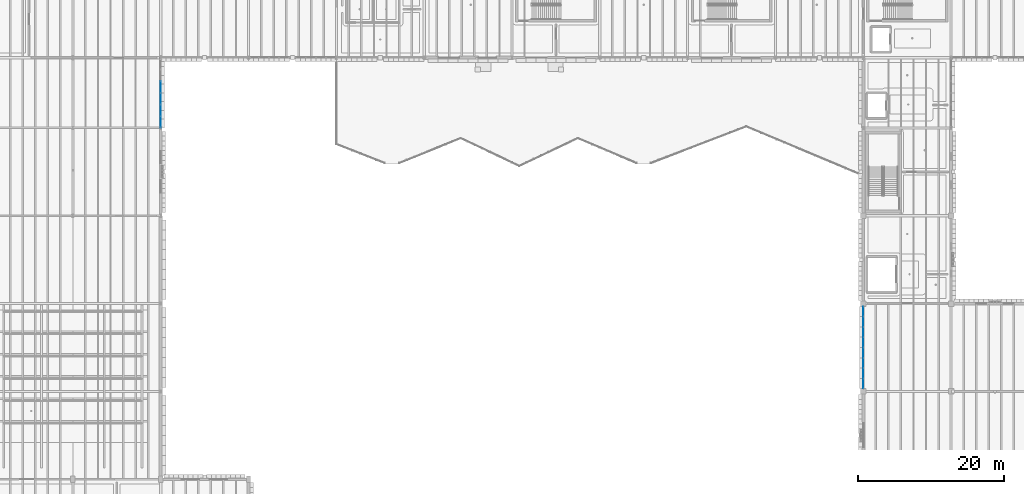
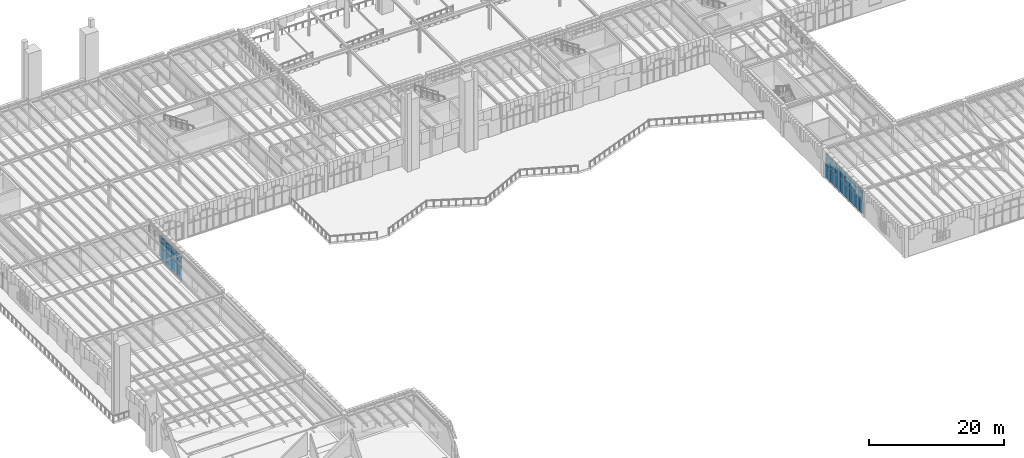
# One storey, part 40 of 103: 36 plates, 2 elements without a shape of their own.
"""IFC4 building model written with IfcOpenShell, lengths in metres."""

from ifc_helpers import new_model, si_unit, direction, frame, origin, origin_2d, place, context, subcontext, project, spatial, rectangle, extrude, material, layer, layer_set, type_object, element, aggregate, save


model = new_model("IFC4")

# Units and contexts
model_context = context("Model", 3, precision=1e-05, world=origin(), true_north=direction((0.0, 1.0)))
body_context = subcontext(model_context, "Body", "Model", "MODEL_VIEW")
ifc_project = project(units=[si_unit("LENGTHUNIT", "METRE"), si_unit("AREAUNIT", "SQUARE_METRE"), si_unit("VOLUMEUNIT", "CUBIC_METRE"), si_unit("PLANEANGLEUNIT", "RADIAN"), si_unit("MASSUNIT", "GRAM", prefix="KILO")], contexts=[model_context])

# Site, building, storey
site_placement = place(None, origin())
site = spatial("IfcSite", under=ifc_project, at=site_placement, CompositionType="ELEMENT")
building_placement = place(site_placement, origin())
building = spatial("IfcBuilding", under=site, at=building_placement, Name="Zlatogorsky Bluff Art Gallery", CompositionType="ELEMENT")
storey_placement = place(building_placement, origin())
storey = spatial("IfcBuildingStorey", under=building, at=storey_placement, Name="L00", CompositionType="ELEMENT", Elevation=0.0)

# Curtain wall, plates
ifc_material_1 = material(Name="Anodised Bronze Aluminium and Low-Iron Triple Glazing", Category="aluminium")
ifc_layer_1 = layer(ifc_material_1, 0.199951171875)
ifc_layer_set_1 = layer_set([ifc_layer_1], Name="Curtain Wall CW-02")
curtain_wall_type_1 = type_object("IfcCurtainWallType", Name="Curtain Wall CW-02", PredefinedType="USERDEFINED", material=ifc_layer_set_1)
curtain_wall_1_placement = place(storey_placement, origin())
curtain_wall_1 = element("IfcCurtainWall", 1, at=curtain_wall_1_placement, inside=storey, type_object=curtain_wall_type_1, Name="Unitised curtain wall CW-02 L00 E 1.7", ObjectType="CURTAIN WALL", PredefinedType="USERDEFINED")
ifc_material_2 = material(Name="Low-Iron Laminated Triple Glazing", Category="glass")
ifc_layer_2 = layer(ifc_material_2, 0.035888671875)
ifc_layer_set_2 = layer_set([ifc_layer_2], Name="Glazed Curtain Panel CWP-01")
plate_type = type_object("IfcPlateType", Name="Glazed Curtain Panel CWP-01", PredefinedType="CURTAIN_PANEL", material=ifc_layer_set_2)
plate_1_placement = place(storey_placement, frame((24.0, 75.21630859375, 0.06494140625), z_axis=(0.0, 0.0, 1.0), x_axis=(0.0, 1.0, 0.0)))
plate_1 = element("IfcPlate", 2, at=plate_1_placement, type_object=plate_type, Name="CW-02 panel 1.1", PredefinedType="CURTAIN_PANEL", context=body_context, shape_type="SweptSolid", body=[
    extrude(rectangle(XDim=1.50244140625, YDim=0.035888671875, at=origin_2d()), origin(), (0.0, 0.0, 1.0), 2.3525390625),
])
plate_2_placement = place(storey_placement, frame((24.0, 75.21630859375, 2.482421875), z_axis=(0.0, 0.0, 1.0), x_axis=(0.0, 1.0, 0.0)))
plate_2 = element("IfcPlate", 3, at=plate_2_placement, type_object=plate_type, Name="CW-02 panel 1.2", PredefinedType="CURTAIN_PANEL", context=body_context, shape_type="SweptSolid", body=[
    extrude(rectangle(XDim=1.50244140625, YDim=0.035888671875, at=origin_2d()), origin(), (0.0, 0.0, 1.0), 1.3349609375),
])
plate_3_placement = place(storey_placement, frame((24.0, 75.21630859375, 3.88232421875), z_axis=(0.0, 0.0, 1.0), x_axis=(0.0, 1.0, 0.0)))
plate_3 = element("IfcPlate", 4, at=plate_3_placement, type_object=plate_type, Name="CW-02 panel 1.3", PredefinedType="CURTAIN_PANEL", context=body_context, shape_type="SweptSolid", body=[
    extrude(rectangle(XDim=1.50244140625, YDim=0.035888671875, at=origin_2d()), origin(), (0.0, 0.0, 1.0), 0.612548828125),
])
plate_4_placement = place(storey_placement, frame((24.0, 76.800048828125, 0.06494140625), z_axis=(0.0, 0.0, 1.0), x_axis=(0.0, 1.0, 0.0)))
plate_4 = element("IfcPlate", 5, at=plate_4_placement, type_object=plate_type, Name="CW-02 panel 2.1", PredefinedType="CURTAIN_PANEL", context=body_context, shape_type="SweptSolid", body=[
    extrude(rectangle(XDim=1.534912109375, YDim=0.035888671875, at=origin_2d()), origin(), (0.0, 0.0, 1.0), 2.3525390625),
])
plate_5_placement = place(storey_placement, frame((24.0, 76.800048828125, 2.482421875), z_axis=(0.0, 0.0, 1.0), x_axis=(0.0, 1.0, 0.0)))
plate_5 = element("IfcPlate", 6, at=plate_5_placement, type_object=plate_type, Name="CW-02 panel 2.2", PredefinedType="CURTAIN_PANEL", context=body_context, shape_type="SweptSolid", body=[
    extrude(rectangle(XDim=1.534912109375, YDim=0.035888671875, at=origin_2d()), origin(), (0.0, 0.0, 1.0), 1.3349609375),
])
plate_6_placement = place(storey_placement, frame((24.0, 76.800048828125, 3.88232421875), z_axis=(0.0, 0.0, 1.0), x_axis=(0.0, 1.0, 0.0)))
plate_6 = element("IfcPlate", 7, at=plate_6_placement, type_object=plate_type, Name="CW-02 panel 2.3", PredefinedType="CURTAIN_PANEL", context=body_context, shape_type="SweptSolid", body=[
    extrude(rectangle(XDim=1.534912109375, YDim=0.035888671875, at=origin_2d()), origin(), (0.0, 0.0, 1.0), 0.612548828125),
])
plate_7_placement = place(storey_placement, frame((24.0, 78.39990234375, 0.06494140625), z_axis=(0.0, 0.0, 1.0), x_axis=(0.0, 1.0, 0.0)))
plate_7 = element("IfcPlate", 8, at=plate_7_placement, type_object=plate_type, Name="CW-02 panel 3.1", PredefinedType="CURTAIN_PANEL", context=body_context, shape_type="SweptSolid", body=[
    extrude(rectangle(XDim=1.534912109375, YDim=0.035888671875, at=origin_2d()), origin(), (0.0, 0.0, 1.0), 2.3525390625),
])
plate_8_placement = place(storey_placement, frame((24.0, 78.39990234375, 2.482421875), z_axis=(0.0, 0.0, 1.0), x_axis=(0.0, 1.0, 0.0)))
plate_8 = element("IfcPlate", 9, at=plate_8_placement, type_object=plate_type, Name="CW-02 panel 3.2", PredefinedType="CURTAIN_PANEL", context=body_context, shape_type="SweptSolid", body=[
    extrude(rectangle(XDim=1.534912109375, YDim=0.035888671875, at=origin_2d()), origin(), (0.0, 0.0, 1.0), 1.3349609375),
])
plate_9_placement = place(storey_placement, frame((24.0, 78.39990234375, 3.88232421875), z_axis=(0.0, 0.0, 1.0), x_axis=(0.0, 1.0, 0.0)))
plate_9 = element("IfcPlate", 10, at=plate_9_placement, type_object=plate_type, Name="CW-02 panel 3.3", PredefinedType="CURTAIN_PANEL", context=body_context, shape_type="SweptSolid", body=[
    extrude(rectangle(XDim=1.534912109375, YDim=0.035888671875, at=origin_2d()), origin(), (0.0, 0.0, 1.0), 0.612548828125),
])
plate_10_placement = place(storey_placement, frame((24.0, 80.0, 0.06494140625), z_axis=(0.0, 0.0, 1.0), x_axis=(0.0, 1.0, 0.0)))
plate_10 = element("IfcPlate", 11, at=plate_10_placement, type_object=plate_type, Name="CW-02 panel 4.1", PredefinedType="CURTAIN_PANEL", context=body_context, shape_type="SweptSolid", body=[
    extrude(rectangle(XDim=1.534912109375, YDim=0.035888671875, at=origin_2d()), origin(), (0.0, 0.0, 1.0), 2.3525390625),
])
plate_11_placement = place(storey_placement, frame((24.0, 80.0, 2.482421875), z_axis=(0.0, 0.0, 1.0), x_axis=(0.0, 1.0, 0.0)))
plate_11 = element("IfcPlate", 12, at=plate_11_placement, type_object=plate_type, Name="CW-02 panel 4.2", PredefinedType="CURTAIN_PANEL", context=body_context, shape_type="SweptSolid", body=[
    extrude(rectangle(XDim=1.534912109375, YDim=0.035888671875, at=origin_2d()), origin(), (0.0, 0.0, 1.0), 1.3349609375),
])
plate_12_placement = place(storey_placement, frame((24.0, 80.0, 3.88232421875), z_axis=(0.0, 0.0, 1.0), x_axis=(0.0, 1.0, 0.0)))
plate_12 = element("IfcPlate", 13, at=plate_12_placement, type_object=plate_type, Name="CW-02 panel 4.3", PredefinedType="CURTAIN_PANEL", context=body_context, shape_type="SweptSolid", body=[
    extrude(rectangle(XDim=1.534912109375, YDim=0.035888671875, at=origin_2d()), origin(), (0.0, 0.0, 1.0), 0.612548828125),
])
aggregate(curtain_wall_1, [plate_1, plate_2, plate_3, plate_4, plate_5, plate_6, plate_7, plate_8, plate_9, plate_10, plate_11, plate_12])

ifc_layer_3 = layer(ifc_material_1, 0.179931640625)
ifc_layer_set_3 = layer_set([ifc_layer_3], Name="Curtain Wall CW-01")
curtain_wall_type_2 = type_object("IfcCurtainWallType", Name="Curtain Wall CW-01", PredefinedType="USERDEFINED", material=ifc_layer_set_3)
curtain_wall_2_placement = place(storey_placement, origin())
curtain_wall_2 = element("IfcCurtainWall", 14, at=curtain_wall_2_placement, inside=storey, type_object=curtain_wall_type_2, Name="Unitised curtain wall CW-01 L00 W 10.4", ObjectType="CURTAIN WALL", PredefinedType="USERDEFINED")
plate_13_placement = place(storey_placement, frame((120.0, 49.31005859375, 0.06494140625), z_axis=(0.0, 0.0, 1.0), x_axis=(0.0, -1.0, 0.0)))
plate_13 = element("IfcPlate", 15, at=plate_13_placement, type_object=plate_type, Name="CW-01 panel 1.1", PredefinedType="CURTAIN_PANEL", context=body_context, shape_type="SweptSolid", body=[
    extrude(rectangle(XDim=1.31005859375, YDim=0.035888671875, at=origin_2d()), origin(), (0.0, 0.0, 1.0), 2.3525390625),
])
plate_14_placement = place(storey_placement, frame((120.0, 49.31005859375, 2.482421875), z_axis=(0.0, 0.0, 1.0), x_axis=(0.0, -1.0, 0.0)))
plate_14 = element("IfcPlate", 16, at=plate_14_placement, type_object=plate_type, Name="CW-01 panel 1.2", PredefinedType="CURTAIN_PANEL", context=body_context, shape_type="SweptSolid", body=[
    extrude(rectangle(XDim=1.31005859375, YDim=0.035888671875, at=origin_2d()), origin(), (0.0, 0.0, 1.0), 1.3349609375),
])
plate_15_placement = place(storey_placement, frame((120.0, 49.31005859375, 3.88232421875), z_axis=(0.0, 0.0, 1.0), x_axis=(0.0, -1.0, 0.0)))
plate_15 = element("IfcPlate", 17, at=plate_15_placement, type_object=plate_type, Name="CW-01 panel 1.3", PredefinedType="CURTAIN_PANEL", context=body_context, shape_type="SweptSolid", body=[
    extrude(rectangle(XDim=1.31005859375, YDim=0.035888671875, at=origin_2d()), origin(), (0.0, 0.0, 1.0), 0.612548828125),
])
plate_16_placement = place(storey_placement, frame((120.0, 47.918701171875, 0.06494140625), z_axis=(0.0, 0.0, 1.0), x_axis=(0.0, -1.0, 0.0)))
plate_16 = element("IfcPlate", 18, at=plate_16_placement, type_object=plate_type, Name="CW-01 panel 2.1", PredefinedType="CURTAIN_PANEL", context=body_context, shape_type="SweptSolid", body=[
    extrude(rectangle(XDim=1.342529296875, YDim=0.035888671875, at=origin_2d()), origin(), (0.0, 0.0, 1.0), 2.3525390625),
])
plate_17_placement = place(storey_placement, frame((120.0, 47.918701171875, 2.482421875), z_axis=(0.0, 0.0, 1.0), x_axis=(0.0, -1.0, 0.0)))
plate_17 = element("IfcPlate", 19, at=plate_17_placement, type_object=plate_type, Name="CW-01 panel 2.2", PredefinedType="CURTAIN_PANEL", context=body_context, shape_type="SweptSolid", body=[
    extrude(rectangle(XDim=1.342529296875, YDim=0.035888671875, at=origin_2d()), origin(), (0.0, 0.0, 1.0), 1.3349609375),
])
plate_18_placement = place(storey_placement, frame((120.0, 47.918701171875, 3.88232421875), z_axis=(0.0, 0.0, 1.0), x_axis=(0.0, -1.0, 0.0)))
plate_18 = element("IfcPlate", 20, at=plate_18_placement, type_object=plate_type, Name="CW-01 panel 2.3", PredefinedType="CURTAIN_PANEL", context=body_context, shape_type="SweptSolid", body=[
    extrude(rectangle(XDim=1.342529296875, YDim=0.035888671875, at=origin_2d()), origin(), (0.0, 0.0, 1.0), 0.612548828125),
])
plate_19_placement = place(storey_placement, frame((120.0, 46.51123046875, 0.06494140625), z_axis=(0.0, 0.0, 1.0), x_axis=(0.0, -1.0, 0.0)))
plate_19 = element("IfcPlate", 21, at=plate_19_placement, type_object=plate_type, Name="CW-01 panel 3.1", PredefinedType="CURTAIN_PANEL", context=body_context, shape_type="SweptSolid", body=[
    extrude(rectangle(XDim=1.342529296875, YDim=0.035888671875, at=origin_2d()), origin(), (0.0, 0.0, 1.0), 2.3525390625),
])
plate_20_placement = place(storey_placement, frame((120.0, 46.51123046875, 2.482421875), z_axis=(0.0, 0.0, 1.0), x_axis=(0.0, -1.0, 0.0)))
plate_20 = element("IfcPlate", 22, at=plate_20_placement, type_object=plate_type, Name="CW-01 panel 3.2", PredefinedType="CURTAIN_PANEL", context=body_context, shape_type="SweptSolid", body=[
    extrude(rectangle(XDim=1.342529296875, YDim=0.035888671875, at=origin_2d()), origin(), (0.0, 0.0, 1.0), 1.3349609375),
])
plate_21_placement = place(storey_placement, frame((120.0, 46.51123046875, 3.88232421875), z_axis=(0.0, 0.0, 1.0), x_axis=(0.0, -1.0, 0.0)))
plate_21 = element("IfcPlate", 23, at=plate_21_placement, type_object=plate_type, Name="CW-01 panel 3.3", PredefinedType="CURTAIN_PANEL", context=body_context, shape_type="SweptSolid", body=[
    extrude(rectangle(XDim=1.342529296875, YDim=0.035888671875, at=origin_2d()), origin(), (0.0, 0.0, 1.0), 0.612548828125),
])
plate_22_placement = place(storey_placement, frame((120.0, 45.103759765625, 0.06494140625), z_axis=(0.0, 0.0, 1.0), x_axis=(0.0, -1.0, 0.0)))
plate_22 = element("IfcPlate", 24, at=plate_22_placement, type_object=plate_type, Name="CW-01 panel 4.1", PredefinedType="CURTAIN_PANEL", context=body_context, shape_type="SweptSolid", body=[
    extrude(rectangle(XDim=1.342529296875, YDim=0.035888671875, at=origin_2d()), origin(), (0.0, 0.0, 1.0), 2.3525390625),
])
plate_23_placement = place(storey_placement, frame((120.0, 45.103759765625, 2.482421875), z_axis=(0.0, 0.0, 1.0), x_axis=(0.0, -1.0, 0.0)))
plate_23 = element("IfcPlate", 25, at=plate_23_placement, type_object=plate_type, Name="CW-01 panel 4.2", PredefinedType="CURTAIN_PANEL", context=body_context, shape_type="SweptSolid", body=[
    extrude(rectangle(XDim=1.342529296875, YDim=0.035888671875, at=origin_2d()), origin(), (0.0, 0.0, 1.0), 1.3349609375),
])
plate_24_placement = place(storey_placement, frame((120.0, 45.103759765625, 3.88232421875), z_axis=(0.0, 0.0, 1.0), x_axis=(0.0, -1.0, 0.0)))
plate_24 = element("IfcPlate", 26, at=plate_24_placement, type_object=plate_type, Name="CW-01 panel 4.3", PredefinedType="CURTAIN_PANEL", context=body_context, shape_type="SweptSolid", body=[
    extrude(rectangle(XDim=1.342529296875, YDim=0.035888671875, at=origin_2d()), origin(), (0.0, 0.0, 1.0), 0.612548828125),
])
plate_25_placement = place(storey_placement, frame((120.0, 43.6962890625, 0.06494140625), z_axis=(0.0, 0.0, 1.0), x_axis=(0.0, -1.0, 0.0)))
plate_25 = element("IfcPlate", 27, at=plate_25_placement, type_object=plate_type, Name="CW-01 panel 5.1", PredefinedType="CURTAIN_PANEL", context=body_context, shape_type="SweptSolid", body=[
    extrude(rectangle(XDim=1.342529296875, YDim=0.035888671875, at=origin_2d()), origin(), (0.0, 0.0, 1.0), 2.3525390625),
])
plate_26_placement = place(storey_placement, frame((120.0, 43.6962890625, 2.482421875), z_axis=(0.0, 0.0, 1.0), x_axis=(0.0, -1.0, 0.0)))
plate_26 = element("IfcPlate", 28, at=plate_26_placement, type_object=plate_type, Name="CW-01 panel 5.2", PredefinedType="CURTAIN_PANEL", context=body_context, shape_type="SweptSolid", body=[
    extrude(rectangle(XDim=1.342529296875, YDim=0.035888671875, at=origin_2d()), origin(), (0.0, 0.0, 1.0), 1.3349609375),
])
plate_27_placement = place(storey_placement, frame((120.0, 43.6962890625, 3.88232421875), z_axis=(0.0, 0.0, 1.0), x_axis=(0.0, -1.0, 0.0)))
plate_27 = element("IfcPlate", 29, at=plate_27_placement, type_object=plate_type, Name="CW-01 panel 5.3", PredefinedType="CURTAIN_PANEL", context=body_context, shape_type="SweptSolid", body=[
    extrude(rectangle(XDim=1.342529296875, YDim=0.035888671875, at=origin_2d()), origin(), (0.0, 0.0, 1.0), 0.612548828125),
])
plate_28_placement = place(storey_placement, frame((120.0, 42.288818359375, 0.06494140625), z_axis=(0.0, 0.0, 1.0), x_axis=(0.0, -1.0, 0.0)))
plate_28 = element("IfcPlate", 30, at=plate_28_placement, type_object=plate_type, Name="CW-01 panel 6.1", PredefinedType="CURTAIN_PANEL", context=body_context, shape_type="SweptSolid", body=[
    extrude(rectangle(XDim=1.342529296875, YDim=0.035888671875, at=origin_2d()), origin(), (0.0, 0.0, 1.0), 2.3525390625),
])
plate_29_placement = place(storey_placement, frame((120.0, 42.288818359375, 2.482421875), z_axis=(0.0, 0.0, 1.0), x_axis=(0.0, -1.0, 0.0)))
plate_29 = element("IfcPlate", 31, at=plate_29_placement, type_object=plate_type, Name="CW-01 panel 6.2", PredefinedType="CURTAIN_PANEL", context=body_context, shape_type="SweptSolid", body=[
    extrude(rectangle(XDim=1.342529296875, YDim=0.035888671875, at=origin_2d()), origin(), (0.0, 0.0, 1.0), 1.3349609375),
])
plate_30_placement = place(storey_placement, frame((120.0, 42.288818359375, 3.88232421875), z_axis=(0.0, 0.0, 1.0), x_axis=(0.0, -1.0, 0.0)))
plate_30 = element("IfcPlate", 32, at=plate_30_placement, type_object=plate_type, Name="CW-01 panel 6.3", PredefinedType="CURTAIN_PANEL", context=body_context, shape_type="SweptSolid", body=[
    extrude(rectangle(XDim=1.342529296875, YDim=0.035888671875, at=origin_2d()), origin(), (0.0, 0.0, 1.0), 0.612548828125),
])
plate_31_placement = place(storey_placement, frame((120.0, 40.88134765625, 0.06494140625), z_axis=(0.0, 0.0, 1.0), x_axis=(0.0, -1.0, 0.0)))
plate_31 = element("IfcPlate", 33, at=plate_31_placement, type_object=plate_type, Name="CW-01 panel 7.1", PredefinedType="CURTAIN_PANEL", context=body_context, shape_type="SweptSolid", body=[
    extrude(rectangle(XDim=1.342529296875, YDim=0.035888671875, at=origin_2d()), origin(), (0.0, 0.0, 1.0), 2.3525390625),
])
plate_32_placement = place(storey_placement, frame((120.0, 40.88134765625, 2.482421875), z_axis=(0.0, 0.0, 1.0), x_axis=(0.0, -1.0, 0.0)))
plate_32 = element("IfcPlate", 34, at=plate_32_placement, type_object=plate_type, Name="CW-01 panel 7.2", PredefinedType="CURTAIN_PANEL", context=body_context, shape_type="SweptSolid", body=[
    extrude(rectangle(XDim=1.342529296875, YDim=0.035888671875, at=origin_2d()), origin(), (0.0, 0.0, 1.0), 1.3349609375),
])
plate_33_placement = place(storey_placement, frame((120.0, 40.88134765625, 3.88232421875), z_axis=(0.0, 0.0, 1.0), x_axis=(0.0, -1.0, 0.0)))
plate_33 = element("IfcPlate", 35, at=plate_33_placement, type_object=plate_type, Name="CW-01 panel 7.3", PredefinedType="CURTAIN_PANEL", context=body_context, shape_type="SweptSolid", body=[
    extrude(rectangle(XDim=1.342529296875, YDim=0.035888671875, at=origin_2d()), origin(), (0.0, 0.0, 1.0), 0.612548828125),
])
plate_34_placement = place(storey_placement, frame((120.0, 39.489990234375, 0.06494140625), z_axis=(0.0, 0.0, 1.0), x_axis=(0.0, -1.0, 0.0)))
plate_34 = element("IfcPlate", 36, at=plate_34_placement, type_object=plate_type, Name="CW-01 panel 8.1", PredefinedType="CURTAIN_PANEL", context=body_context, shape_type="SweptSolid", body=[
    extrude(rectangle(XDim=1.31005859375, YDim=0.035888671875, at=origin_2d()), origin(), (0.0, 0.0, 1.0), 2.3525390625),
])
plate_35_placement = place(storey_placement, frame((120.0, 39.489990234375, 2.482421875), z_axis=(0.0, 0.0, 1.0), x_axis=(0.0, -1.0, 0.0)))
plate_35 = element("IfcPlate", 37, at=plate_35_placement, type_object=plate_type, Name="CW-01 panel 8.2", PredefinedType="CURTAIN_PANEL", context=body_context, shape_type="SweptSolid", body=[
    extrude(rectangle(XDim=1.31005859375, YDim=0.035888671875, at=origin_2d()), origin(), (0.0, 0.0, 1.0), 1.3349609375),
])
plate_36_placement = place(storey_placement, frame((120.0, 39.489990234375, 3.88232421875), z_axis=(0.0, 0.0, 1.0), x_axis=(0.0, -1.0, 0.0)))
plate_36 = element("IfcPlate", 38, at=plate_36_placement, type_object=plate_type, Name="CW-01 panel 8.3", PredefinedType="CURTAIN_PANEL", context=body_context, shape_type="SweptSolid", body=[
    extrude(rectangle(XDim=1.31005859375, YDim=0.035888671875, at=origin_2d()), origin(), (0.0, 0.0, 1.0), 0.612548828125),
])
aggregate(curtain_wall_2, [plate_13, plate_14, plate_15, plate_16, plate_17, plate_18, plate_19, plate_20, plate_21, plate_22, plate_23, plate_24, plate_25, plate_26, plate_27, plate_28, plate_29, plate_30, plate_31, plate_32, plate_33, plate_34, plate_35, plate_36])

save(model, "model.ifc")
